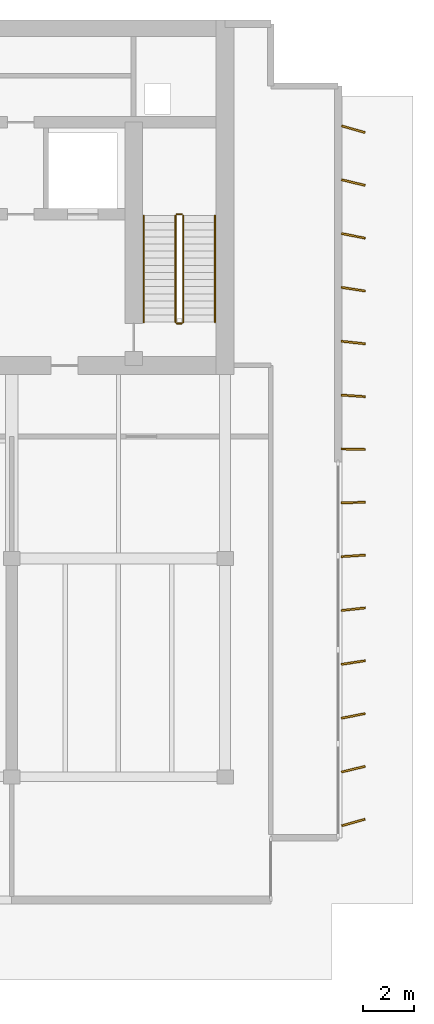
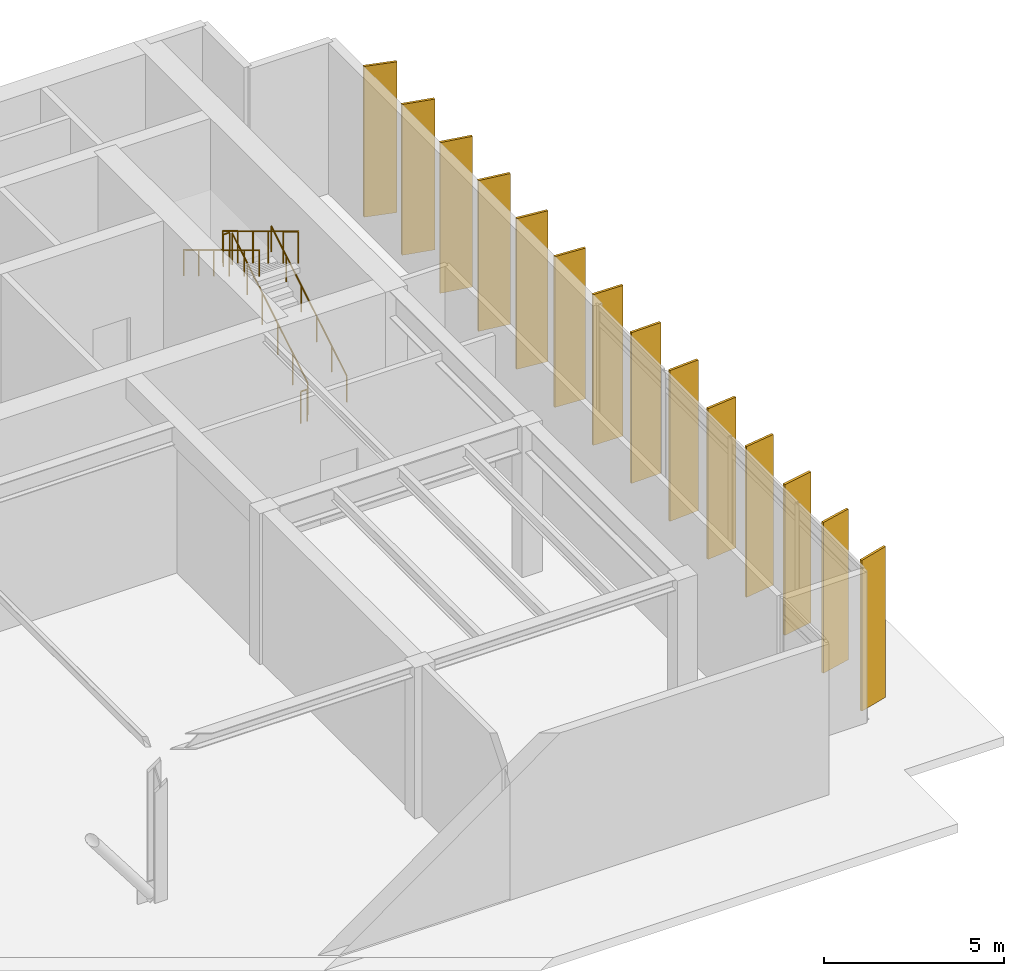
# One storey, part 10 of 10: 14 shading devices, 6 railings.
"""IFC4 building model written with IfcOpenShell, lengths in metres."""

from ifc_helpers import new_model, si_unit, direction, frame, origin, origin_2d, place, context, subcontext, project, spatial, rectangle, circle, extrude, material, material_profile, profile_set, type_object, element, save


model = new_model("IFC4")

# Units and contexts
model_context = context("Model", 3, precision=1e-05, world=origin(), true_north=direction((0.0, 1.0)))
body_context = subcontext(model_context, "Body", "Model", "MODEL_VIEW")
ifc_project = project(units=[si_unit("LENGTHUNIT", "METRE"), si_unit("AREAUNIT", "SQUARE_METRE"), si_unit("VOLUMEUNIT", "CUBIC_METRE"), si_unit("PLANEANGLEUNIT", "RADIAN"), si_unit("MASSUNIT", "GRAM", prefix="KILO")], contexts=[model_context])

# Site, building, storey
site_placement = place(None, origin())
site = spatial("IfcSite", under=ifc_project, at=site_placement, CompositionType="ELEMENT")
building_placement = place(site_placement, origin())
building = spatial("IfcBuilding", under=site, at=building_placement, Name="Caelmar Bay Residences", CompositionType="ELEMENT")
storey_placement = place(building_placement, frame((0.0, 0.0, 279.39990234375)))
storey = spatial("IfcBuildingStorey", under=building, at=storey_placement, Name="L78", CompositionType="ELEMENT", Elevation=279.39990234375)

# Railings
ifc_material_1 = material(Name="Painted galvanized steel stair guard 1100 mm", Category="steel")
railing_type_1 = type_object("IfcRailingType", Name="RL-GRD-1100", PredefinedType="GUARDRAIL", material=ifc_material_1)
railing_1_placement = place(storey_placement, frame((57.85009765625, 38.699951171875, 0.1689453125)))
element("IfcRailing", 1, at=railing_1_placement, inside=storey, type_object=railing_type_1, Name="L78 ST2 stair guard 1", PredefinedType="GUARDRAIL", context=body_context, shape_type="SweptSolid", body=[
    extrude(circle(Radius=0.02392578125, at=origin_2d()), frame((0.0, 0.0, 1.076171875), z_axis=(0.0, 0.856476492594, 0.516186030065), x_axis=(-1.0, 0.0, 0.0)), (0.0, 0.0, 1.0), 4.90380859375),
    extrude(circle(Radius=0.02099609375, at=origin_2d()), origin(), (0.0, 0.0, 1.0), 1.052001953125),
    extrude(circle(Radius=0.02099609375, at=origin_2d()), frame((0.0, 0.840087890625, 0.50634765625)), (0.0, 0.0, 1.0), 1.052001953125),
    extrude(circle(Radius=0.02099609375, at=origin_2d()), frame((0.0, 1.679931640625, 1.012451171875)), (0.0, 0.0, 1.0), 1.052001953125),
    extrude(circle(Radius=0.02099609375, at=origin_2d()), frame((0.0, 2.52001953125, 1.518798828125)), (0.0, 0.0, 1.0), 1.052001953125),
    extrude(circle(Radius=0.02099609375, at=origin_2d()), frame((0.0, 3.35986328125, 2.02490234375)), (0.0, 0.0, 1.0), 1.052001953125),
    extrude(circle(Radius=0.02099609375, at=origin_2d()), frame((0.0, 4.199951171875, 2.53125)), (0.0, 0.0, 1.0), 1.052001953125),
])
railing_2_placement = place(storey_placement, frame((57.800048828125, 42.949951171875, 2.7001953125)))
element("IfcRailing", 2, at=railing_2_placement, inside=storey, type_object=railing_type_1, Name="L78 ST2 stair guard 2", PredefinedType="GUARDRAIL", context=body_context, shape_type="SweptSolid", body=[
    extrude(circle(Radius=0.02392578125, at=origin_2d()), frame((0.0, 0.0, 1.076171875), z_axis=(-1.0, 0.0, 0.0), x_axis=(0.0, -1.0, 0.0)), (0.0, 0.0, 1.0), 0.199951171875),
    extrude(circle(Radius=0.02099609375, at=origin_2d()), origin(), (0.0, 0.0, 1.0), 1.052001953125),
    extrude(circle(Radius=0.02099609375, at=origin_2d()), frame((-0.199951171875, 0.0, 0.0)), (0.0, 0.0, 1.0), 1.052001953125),
])
railing_3_placement = place(storey_placement, frame((57.550048828125, 42.89990234375, 2.868896484375)))
element("IfcRailing", 3, at=railing_3_placement, inside=storey, type_object=railing_type_1, Name="L78 ST2 stair guard 3", PredefinedType="GUARDRAIL", context=body_context, shape_type="SweptSolid", body=[
    extrude(circle(Radius=0.02392578125, at=origin_2d()), frame((0.0, 0.0, 1.076171875), z_axis=(0.0, -0.856476492594, 0.516186030065), x_axis=(1.0, 0.0, 0.0)), (0.0, 0.0, 1.0), 4.90380859375),
    extrude(circle(Radius=0.02099609375, at=origin_2d()), origin(), (0.0, 0.0, 1.0), 1.052001953125),
    extrude(circle(Radius=0.02099609375, at=origin_2d()), frame((0.0, -0.840087890625, 0.50634765625)), (0.0, 0.0, 1.0), 1.052001953125),
    extrude(circle(Radius=0.02099609375, at=origin_2d()), frame((0.0, -1.679931640625, 1.012451171875)), (0.0, 0.0, 1.0), 1.052001953125),
    extrude(circle(Radius=0.02099609375, at=origin_2d()), frame((0.0, -2.52001953125, 1.518798828125)), (0.0, 0.0, 1.0), 1.052001953125),
    extrude(circle(Radius=0.02099609375, at=origin_2d()), frame((0.0, -3.35986328125, 2.02490234375)), (0.0, 0.0, 1.0), 1.052001953125),
    extrude(circle(Radius=0.02099609375, at=origin_2d()), frame((0.0, -4.199951171875, 2.53125)), (0.0, 0.0, 1.0), 1.052001953125),
])
railing_4_placement = place(storey_placement, frame((57.800048828125, 38.64990234375, 0.0)))
element("IfcRailing", 4, at=railing_4_placement, inside=storey, type_object=railing_type_1, Name="L78 ST2 stair guard 4", PredefinedType="GUARDRAIL", context=body_context, shape_type="SweptSolid", body=[
    extrude(circle(Radius=0.02392578125, at=origin_2d()), frame((0.0, 0.0, 1.076171875), z_axis=(-1.0, 0.0, 0.0), x_axis=(0.0, -1.0, 0.0)), (0.0, 0.0, 1.0), 0.199951171875),
    extrude(circle(Radius=0.02099609375, at=origin_2d()), origin(), (0.0, 0.0, 1.0), 1.052001953125),
    extrude(circle(Radius=0.02099609375, at=origin_2d()), frame((-0.199951171875, 0.0, 0.0)), (0.0, 0.0, 1.0), 1.052001953125),
])
ifc_material_2 = material(Name="Brushed bronze stainless-steel tubular handrail 900 mm", Category="steel")
railing_type_2 = type_object("IfcRailingType", Name="RL-HND-900", PredefinedType="HANDRAIL", material=ifc_material_2)
railing_5_placement = place(storey_placement, frame((59.10009765625, 38.699951171875, 0.1689453125)))
element("IfcRailing", 5, at=railing_5_placement, inside=storey, type_object=railing_type_2, Name="L78 ST2 stair handrail 1", PredefinedType="HANDRAIL", context=body_context, shape_type="SweptSolid", body=[
    extrude(circle(Radius=0.02392578125, at=origin_2d()), frame((0.0, 0.0, 0.8759765625), z_axis=(0.0, 0.856476492594, 0.516186030065), x_axis=(-1.0, 0.0, 0.0)), (0.0, 0.0, 1.0), 4.90380859375),
    extrude(circle(Radius=0.02099609375, at=origin_2d()), origin(), (0.0, 0.0, 1.0), 0.851806640625),
    extrude(circle(Radius=0.02099609375, at=origin_2d()), frame((0.0, 0.840087890625, 0.50634765625)), (0.0, 0.0, 1.0), 0.851806640625),
    extrude(circle(Radius=0.02099609375, at=origin_2d()), frame((0.0, 1.679931640625, 1.012451171875)), (0.0, 0.0, 1.0), 0.851806640625),
    extrude(circle(Radius=0.02099609375, at=origin_2d()), frame((0.0, 2.52001953125, 1.518798828125)), (0.0, 0.0, 1.0), 0.851806640625),
    extrude(circle(Radius=0.02099609375, at=origin_2d()), frame((0.0, 3.35986328125, 2.02490234375)), (0.0, 0.0, 1.0), 0.851806640625),
    extrude(circle(Radius=0.02099609375, at=origin_2d()), frame((0.0, 4.199951171875, 2.53125)), (0.0, 0.0, 1.0), 0.851806640625),
])
railing_6_placement = place(storey_placement, frame((56.300048828125, 42.89990234375, 2.868896484375)))
element("IfcRailing", 6, at=railing_6_placement, inside=storey, type_object=railing_type_2, Name="L78 ST2 stair handrail 2", PredefinedType="HANDRAIL", context=body_context, shape_type="SweptSolid", body=[
    extrude(circle(Radius=0.02392578125, at=origin_2d()), frame((0.0, 0.0, 0.8759765625), z_axis=(0.0, -0.856476492594, 0.516186030065), x_axis=(1.0, 0.0, 0.0)), (0.0, 0.0, 1.0), 4.90380859375),
    extrude(circle(Radius=0.02099609375, at=origin_2d()), origin(), (0.0, 0.0, 1.0), 0.851806640625),
    extrude(circle(Radius=0.02099609375, at=origin_2d()), frame((0.0, -0.840087890625, 0.50634765625)), (0.0, 0.0, 1.0), 0.851806640625),
    extrude(circle(Radius=0.02099609375, at=origin_2d()), frame((0.0, -1.679931640625, 1.012451171875)), (0.0, 0.0, 1.0), 0.851806640625),
    extrude(circle(Radius=0.02099609375, at=origin_2d()), frame((0.0, -2.52001953125, 1.518798828125)), (0.0, 0.0, 1.0), 0.851806640625),
    extrude(circle(Radius=0.02099609375, at=origin_2d()), frame((0.0, -3.35986328125, 2.02490234375)), (0.0, 0.0, 1.0), 0.851806640625),
    extrude(circle(Radius=0.02099609375, at=origin_2d()), frame((0.0, -4.199951171875, 2.53125)), (0.0, 0.0, 1.0), 0.851806640625),
])

# Shading devices
ifc_material_3 = material(Name="Anodised architectural bronze aluminium 6063-T6", Category="aluminium")
ifc_material_profile = material_profile(ifc_material_3, rectangle(XDim=0.074951171875, YDim=0.949951171875, at=origin_2d()), Name="BRONZE-FIN-75X950")
ifc_profile_set = profile_set([ifc_material_profile], Name="Anodised architectural bronze aluminium 6063-T6")
shading_device_type = type_object("IfcShadingDeviceType", Name="SHD-FIN-950", PredefinedType="USERDEFINED", material=ifc_profile_set)
for number, where, z_axis, x_axis, name in (
    (7, (64.550048828125, 19.0, 0.0), (0.0, 0.0, 1.0), (-0.275637355817, 0.961261695938, 0.0), "L78 East Bronze Solar Fin 1"),
    (8, (64.550048828125, 21.10009765625, 0.0), (0.0, 0.0, 1.0), (-0.234124149178, 0.972206707841, 0.0), "L78 East Bronze Solar Fin 2"),
    (9, (64.550048828125, 23.199951171875, 0.0), (0.0, 0.0, 1.0), (-0.192179419046, 0.981359807051, 0.0), "L78 East Bronze Solar Fin 3"),
    (10, (64.550048828125, 25.300048828125, 0.0), (0.0, 0.0, 1.0), (-0.149880475413, 0.988704123128, 0.0), "L78 East Bronze Solar Fin 4"),
    (11, (64.550048828125, 27.39990234375, 0.0), (0.0, 0.0, 1.0), (-0.107131754314, 0.994244832633, 0.0), "L78 East Bronze Solar Fin 5"),
    (12, (64.550048828125, 29.5, 0.0), (0.0, 0.0, 1.0), (-0.064358138139, 0.997926866086, 0.0), "L78 East Bronze Solar Fin 6"),
    (13, (64.550048828125, 31.60009765625, 0.0), (0.0, 0.0, 1.0), (-0.02146590093, 0.999769581002, 0.0), "L78 East Bronze Solar Fin 7"),
    (14, (64.550048828125, 33.699951171875, 0.0), (0.0, 0.0, 1.0), (0.02146590093, 0.999769581002, 0.0), "L78 East Bronze Solar Fin 8"),
    (15, (64.550048828125, 35.800048828125, 0.0), (0.0, 0.0, 1.0), (0.064358138139, 0.997926866086, 0.0), "L78 East Bronze Solar Fin 9"),
    (16, (64.550048828125, 37.89990234375, 0.0), (0.0, 0.0, 1.0), (0.107131754314, 0.994244832633, 0.0), "L78 East Bronze Solar Fin 10"),
    (17, (64.550048828125, 40.0, 0.0), (0.0, 0.0, 1.0), (0.149880475413, 0.988704123128, 0.0), "L78 East Bronze Solar Fin 11"),
    (18, (64.550048828125, 42.10009765625, 0.0), (0.0, 0.0, 1.0), (0.192179419046, 0.981359807051, 0.0), "L78 East Bronze Solar Fin 12"),
    (19, (64.550048828125, 44.199951171875, 0.0), (0.0, 0.0, 1.0), (0.234124149178, 0.972206707841, 0.0), "L78 East Bronze Solar Fin 13"),
    (20, (64.550048828125, 46.300048828125, 0.0), (0.0, 0.0, 1.0), (0.275637355817, 0.961261695938, 0.0), "L78 East Bronze Solar Fin 14"),
):
    element("IfcShadingDevice", number, at=place(storey_placement, frame(where, z_axis=z_axis, x_axis=x_axis)), inside=storey, type_object=shading_device_type, Name=name, ObjectType="FIN", PredefinedType="USERDEFINED", context=body_context, shape_type="SweptSolid", body=[
        extrude(rectangle(XDim=0.074951171875, YDim=0.949951171875, at=origin_2d()), origin(), (0.0, 0.0, 1.0), 5.10009765625),
    ])

save(model, "model.ifc")
